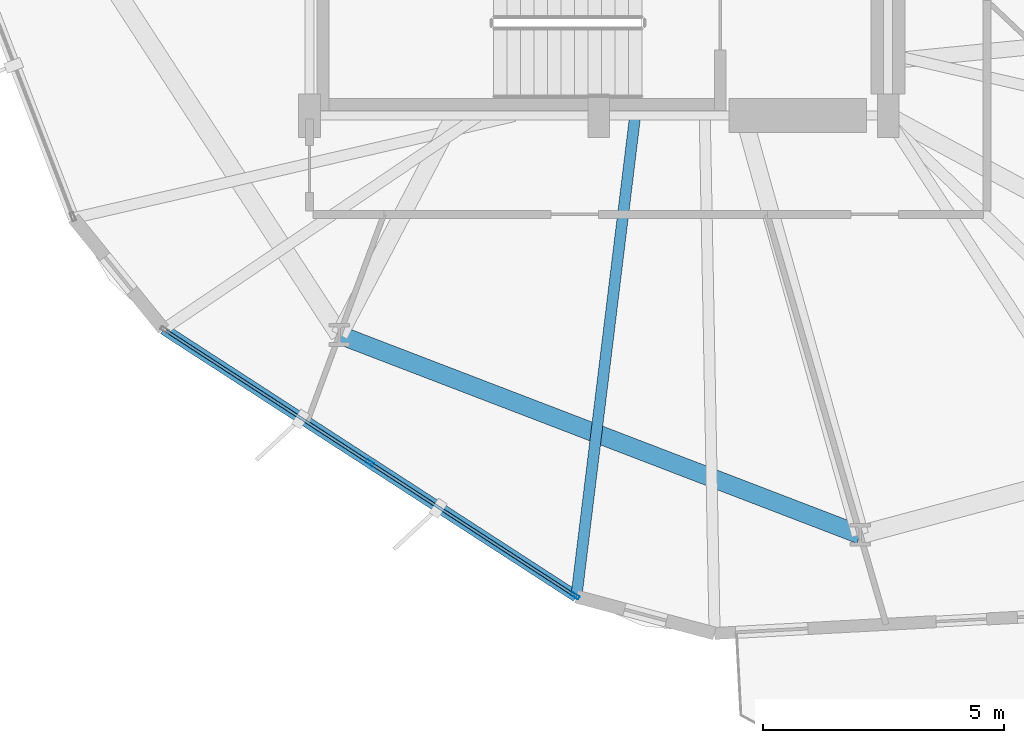
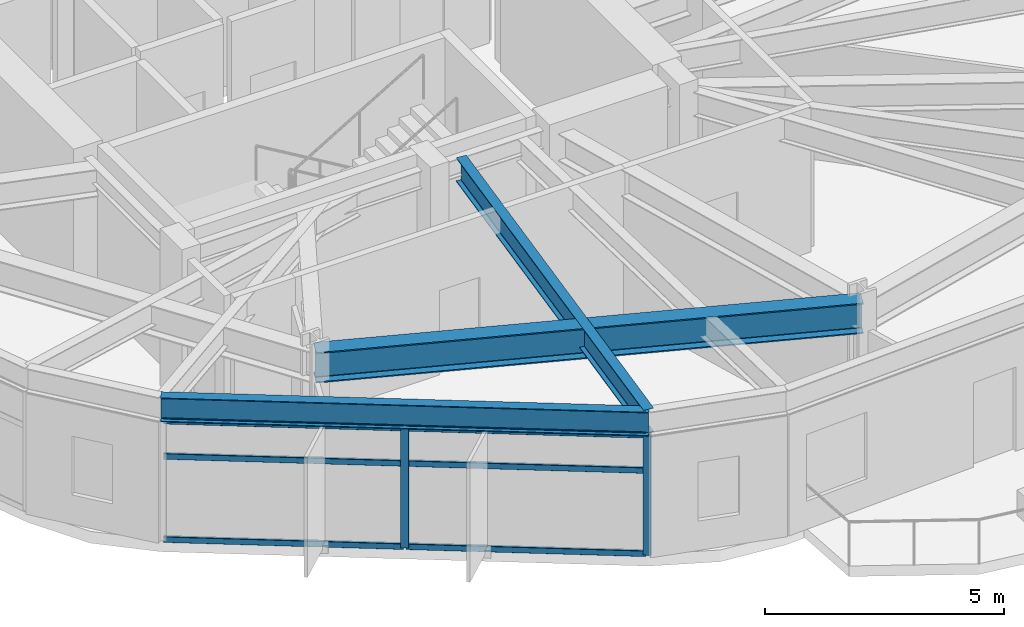
# One storey, part 2 of 23: 8 members, 3 beams, 1 element without a shape of its own.
"""IFC4 building model written with IfcOpenShell, lengths in metres."""

from ifc_helpers import new_model, si_unit, direction, frame, origin, origin_2d, place, context, subcontext, project, spatial, hollow_rectangle, i_section, extrude, material, layer, layer_set, material_profile, profile_set, type_object, element, aggregate, save


model = new_model("IFC4")

# Units and contexts
model_context = context("Model", 3, precision=1e-05, world=origin(), true_north=direction((0.0, 1.0)))
body_context = subcontext(model_context, "Body", "Model", "MODEL_VIEW")
ifc_project = project(units=[si_unit("LENGTHUNIT", "METRE"), si_unit("AREAUNIT", "SQUARE_METRE"), si_unit("VOLUMEUNIT", "CUBIC_METRE"), si_unit("PLANEANGLEUNIT", "RADIAN"), si_unit("MASSUNIT", "GRAM", prefix="KILO")], contexts=[model_context])

# Site, building, storey
site_placement = place(None, origin())
site = spatial("IfcSite", under=ifc_project, at=site_placement, CompositionType="ELEMENT")
building_placement = place(site_placement, origin())
building = spatial("IfcBuilding", under=site, at=building_placement, Name="Soratama Intermodal Tower", CompositionType="ELEMENT")
storey_placement = place(building_placement, frame((0.0, 0.0, 38.60009765625)))
storey = spatial("IfcBuildingStorey", under=building, at=storey_placement, Name="L08", CompositionType="ELEMENT", Elevation=38.60009765625)

# Beams
ifc_material_1 = material(Name="Structural steel ASTM A992 Grade 50", Category="steel")
ifc_material_profile_1 = material_profile(ifc_material_1, i_section(OverallWidth=0.382080078125, OverallDepth=0.779052734375, WebThickness=0.01806640625, FlangeThickness=0.030029296875, FilletRadius=0.01806640625, at=origin_2d()), Name="W30X191")
ifc_profile_set_1 = profile_set([ifc_material_profile_1], Name="Structural steel ASTM A992 Grade 50")
beam_type_1 = type_object("IfcBeamType", Name="BM-RING-W30X191", PredefinedType="BEAM", material=ifc_profile_set_1)
beam_1_placement = place(storey_placement, frame((33.218994140625, 10.451904296875, 3.310302734375), z_axis=(0.933584159632, -0.358358224246, 0.0), x_axis=(0.358358224246, 0.933584159632, 0.0)))
element("IfcBeam", 1, at=beam_1_placement, inside=storey, type_object=beam_type_1, Name="BM-L08-RING-07", PredefinedType="BEAM", context=body_context, shape_type="SweptSolid", body=[
    extrude(i_section(OverallWidth=0.382080078125, OverallDepth=0.779052734375, WebThickness=0.01806640625, FlangeThickness=0.030029296875, FilletRadius=0.01806640625, at=origin_2d()), origin(), (0.0, 0.0, 1.0), 11.5693359375),
])
ifc_material_2 = material(Name="Structural steel ASTM A992 Grade 50", Category="steel")
ifc_material_profile_2 = material_profile(ifc_material_2, i_section(OverallWidth=0.22900390625, OverallDepth=0.612060546875, WebThickness=0.011962890625, FlangeThickness=0.01953125, FilletRadius=0.012939453125, at=origin_2d()), Name="W24X84")
ifc_profile_set_2 = profile_set([ifc_material_profile_2], Name="Structural steel ASTM A992 Grade 50")
beam_type_2 = type_object("IfcBeamType", Name="BM-SPN-W24X84", PredefinedType="SPANDREL", material=ifc_profile_set_2)
beam_2_placement = place(storey_placement, frame((29.572998046875, 10.571044921875, 3.393798828125), z_axis=(0.839257340197, -0.543734417639, 0.0), x_axis=(0.543734417639, 0.839257340197, 0.0)))
element("IfcBeam", 2, at=beam_2_placement, inside=storey, type_object=beam_type_2, Name="BS-L08-F07", PredefinedType="SPANDREL", context=body_context, shape_type="SweptSolid", body=[
    extrude(i_section(OverallWidth=0.22900390625, OverallDepth=0.612060546875, WebThickness=0.011962890625, FlangeThickness=0.01953125, FilletRadius=0.012939453125, at=origin_2d()), origin(), (0.0, 0.0, 1.0), 10.201904296875),
])
ifc_material_3 = material(Name="Structural steel ASTM A992 Grade 50", Category="steel")
ifc_material_profile_3 = material_profile(ifc_material_3, i_section(OverallWidth=0.22900390625, OverallDepth=0.612060546875, WebThickness=0.011962890625, FlangeThickness=0.01953125, FilletRadius=0.012939453125, at=origin_2d()), Name="W24X84")
ifc_profile_set_3 = profile_set([ifc_material_profile_3], Name="Structural steel ASTM A992 Grade 50")
beam_type_3 = type_object("IfcBeamType", Name="BM-TIE-W24X84", PredefinedType="BEAM", material=ifc_profile_set_3)
beam_3_placement = place(storey_placement, frame((39.34912109375, 14.9599609375, 3.393798828125), z_axis=(-0.121290592901, -0.992617042002, 0.0), x_axis=(0.992617042002, -0.121290592901, 0.0)))
element("IfcBeam", 3, at=beam_3_placement, inside=storey, type_object=beam_type_3, Name="BM-L08-TIE1-07", PredefinedType="BEAM", context=body_context, shape_type="SweptSolid", body=[
    extrude(i_section(OverallWidth=0.22900390625, OverallDepth=0.612060546875, WebThickness=0.011962890625, FlangeThickness=0.01953125, FilletRadius=0.012939453125, at=origin_2d()), origin(), (0.0, 0.0, 1.0), 10.010009765625),
])

# Curtain wall, members
ifc_material_4 = material(Name="Double-glazed aluminium curtain wall", Category="aluminium")
ifc_layer = layer(ifc_material_4, 0.159912109375)
ifc_layer_set = layer_set([ifc_layer], Name="Double-glazed aluminium curtain wall")
curtain_wall_type = type_object("IfcCurtainWallType", Name="CW-SYS-2", PredefinedType="NOTDEFINED", material=ifc_layer_set)
curtain_wall_placement = place(storey_placement, origin())
curtain_wall = element("IfcCurtainWall", 4, at=curtain_wall_placement, inside=storey, type_object=curtain_wall_type, Name="L08 Faceted Curtain Wall F07", PredefinedType="NOTDEFINED")
ifc_material_5 = material(Name="Anodised aluminium AA 6063-T6", Category="aluminium")
ifc_material_profile_4 = material_profile(ifc_material_5, hollow_rectangle(XDim=0.074951171875, YDim=0.179931640625, WallThickness=0.006103515625, InnerFilletRadius=0.006103515625, OuterFilletRadius=0.011962890625, at=origin_2d()), Name="CWM180X75X6")
ifc_profile_set_4 = profile_set([ifc_material_profile_4], Name="Anodised aluminium AA 6063-T6")
member_type_1 = type_object("IfcMemberType", Name="MT-CWM-2", PredefinedType="MULLION", material=ifc_profile_set_4)
member_1_placement = place(storey_placement, frame((33.85400390625, 7.797119140625, 0.0), z_axis=(0.0, 0.0, 1.0), x_axis=(0.543762502127, 0.839239144273, 0.0)))
member_1 = element("IfcMember", 5, at=member_1_placement, type_object=member_type_1, Name="CW-2 mullion 2", PredefinedType="MULLION", context=body_context, shape_type="SweptSolid", body=[
    extrude(hollow_rectangle(XDim=0.074951171875, YDim=0.179931640625, WallThickness=0.006103515625, InnerFilletRadius=0.006103515625, OuterFilletRadius=0.011962890625, at=origin_2d()), origin(), (0.0, 0.0, 1.0), 3.078857421875),
])
member_2_placement = place(storey_placement, frame((38.109375, 5.0400390625, 0.0), z_axis=(0.0, 0.0, 1.0), x_axis=(0.543762502127, 0.839239144273, 0.0)))
member_2 = element("IfcMember", 6, at=member_2_placement, type_object=member_type_1, Name="CW-2 mullion 3", PredefinedType="MULLION", context=body_context, shape_type="SweptSolid", body=[
    extrude(hollow_rectangle(XDim=0.074951171875, YDim=0.179931640625, WallThickness=0.006103515625, InnerFilletRadius=0.006103515625, OuterFilletRadius=0.011962890625, at=origin_2d()), origin(), (0.0, 0.0, 1.0), 3.078857421875),
])
ifc_material_6 = material(Name="Anodised aluminium AA 6063-T6", Category="aluminium")
ifc_material_profile_5 = material_profile(ifc_material_6, hollow_rectangle(XDim=0.06494140625, YDim=0.14990234375, WallThickness=0.0048828125, InnerFilletRadius=0.0048828125, OuterFilletRadius=0.010009765625, at=origin_2d()), Name="CWT150X65X5")
ifc_profile_set_5 = profile_set([ifc_material_profile_5], Name="Anodised aluminium AA 6063-T6")
member_type_2 = type_object("IfcMemberType", Name="TT-CWT-1", PredefinedType="USERDEFINED", material=ifc_profile_set_5)
member_3_placement = place(storey_placement, frame((29.623779296875, 10.5380859375, 0.02978515625), z_axis=(0.839235341907, -0.543768370627, 0.0), x_axis=(0.543768370627, 0.839235341907, 0.0)))
member_3 = element("IfcMember", 7, at=member_3_placement, type_object=member_type_2, Name="CW-2 transom 1.1", ObjectType="TRANSOM", PredefinedType="USERDEFINED", context=body_context, shape_type="SweptSolid", body=[
    extrude(hollow_rectangle(XDim=0.06494140625, YDim=0.14990234375, WallThickness=0.0048828125, InnerFilletRadius=0.0048828125, OuterFilletRadius=0.010009765625, at=origin_2d()), origin(), (0.0, 0.0, 1.0), 5.010498046875),
])
member_4_placement = place(storey_placement, frame((29.623779296875, 10.5380859375, 2.14990234375), z_axis=(0.839235341907, -0.543768370627, 0.0), x_axis=(0.543768370627, 0.839235341907, 0.0)))
member_4 = element("IfcMember", 8, at=member_4_placement, type_object=member_type_2, Name="CW-2 transom 1.2", ObjectType="TRANSOM", PredefinedType="USERDEFINED", context=body_context, shape_type="SweptSolid", body=[
    extrude(hollow_rectangle(XDim=0.06494140625, YDim=0.14990234375, WallThickness=0.0048828125, InnerFilletRadius=0.0048828125, OuterFilletRadius=0.010009765625, at=origin_2d()), origin(), (0.0, 0.0, 1.0), 5.010498046875),
])
member_5_placement = place(storey_placement, frame((29.623779296875, 10.5380859375, 3.048828125), z_axis=(0.839235341907, -0.543768370627, 0.0), x_axis=(0.543768370627, 0.839235341907, 0.0)))
member_5 = element("IfcMember", 9, at=member_5_placement, type_object=member_type_2, Name="CW-2 transom 1.3", ObjectType="TRANSOM", PredefinedType="USERDEFINED", context=body_context, shape_type="SweptSolid", body=[
    extrude(hollow_rectangle(XDim=0.06494140625, YDim=0.14990234375, WallThickness=0.0048828125, InnerFilletRadius=0.0048828125, OuterFilletRadius=0.010009765625, at=origin_2d()), origin(), (0.0, 0.0, 1.0), 5.010498046875),
])
member_6_placement = place(storey_placement, frame((33.879150390625, 7.781005859375, 0.02978515625), z_axis=(0.839235341907, -0.543768370627, 0.0), x_axis=(0.543768370627, 0.839235341907, 0.0)))
member_6 = element("IfcMember", 10, at=member_6_placement, type_object=member_type_2, Name="CW-2 transom 2.1", ObjectType="TRANSOM", PredefinedType="USERDEFINED", context=body_context, shape_type="SweptSolid", body=[
    extrude(hollow_rectangle(XDim=0.06494140625, YDim=0.14990234375, WallThickness=0.0048828125, InnerFilletRadius=0.0048828125, OuterFilletRadius=0.010009765625, at=origin_2d()), origin(), (0.0, 0.0, 1.0), 5.010498046875),
])
member_7_placement = place(storey_placement, frame((33.879150390625, 7.781005859375, 2.14990234375), z_axis=(0.839235341907, -0.543768370627, 0.0), x_axis=(0.543768370627, 0.839235341907, 0.0)))
member_7 = element("IfcMember", 11, at=member_7_placement, type_object=member_type_2, Name="CW-2 transom 2.2", ObjectType="TRANSOM", PredefinedType="USERDEFINED", context=body_context, shape_type="SweptSolid", body=[
    extrude(hollow_rectangle(XDim=0.06494140625, YDim=0.14990234375, WallThickness=0.0048828125, InnerFilletRadius=0.0048828125, OuterFilletRadius=0.010009765625, at=origin_2d()), origin(), (0.0, 0.0, 1.0), 5.010498046875),
])
member_8_placement = place(storey_placement, frame((33.879150390625, 7.781005859375, 3.048828125), z_axis=(0.839235341907, -0.543768370627, 0.0), x_axis=(0.543768370627, 0.839235341907, 0.0)))
member_8 = element("IfcMember", 12, at=member_8_placement, type_object=member_type_2, Name="CW-2 transom 2.3", ObjectType="TRANSOM", PredefinedType="USERDEFINED", context=body_context, shape_type="SweptSolid", body=[
    extrude(hollow_rectangle(XDim=0.06494140625, YDim=0.14990234375, WallThickness=0.0048828125, InnerFilletRadius=0.0048828125, OuterFilletRadius=0.010009765625, at=origin_2d()), origin(), (0.0, 0.0, 1.0), 5.010498046875),
])
aggregate(curtain_wall, [member_1, member_2, member_3, member_4, member_5, member_6, member_7, member_8])

save(model, "model.ifc")
